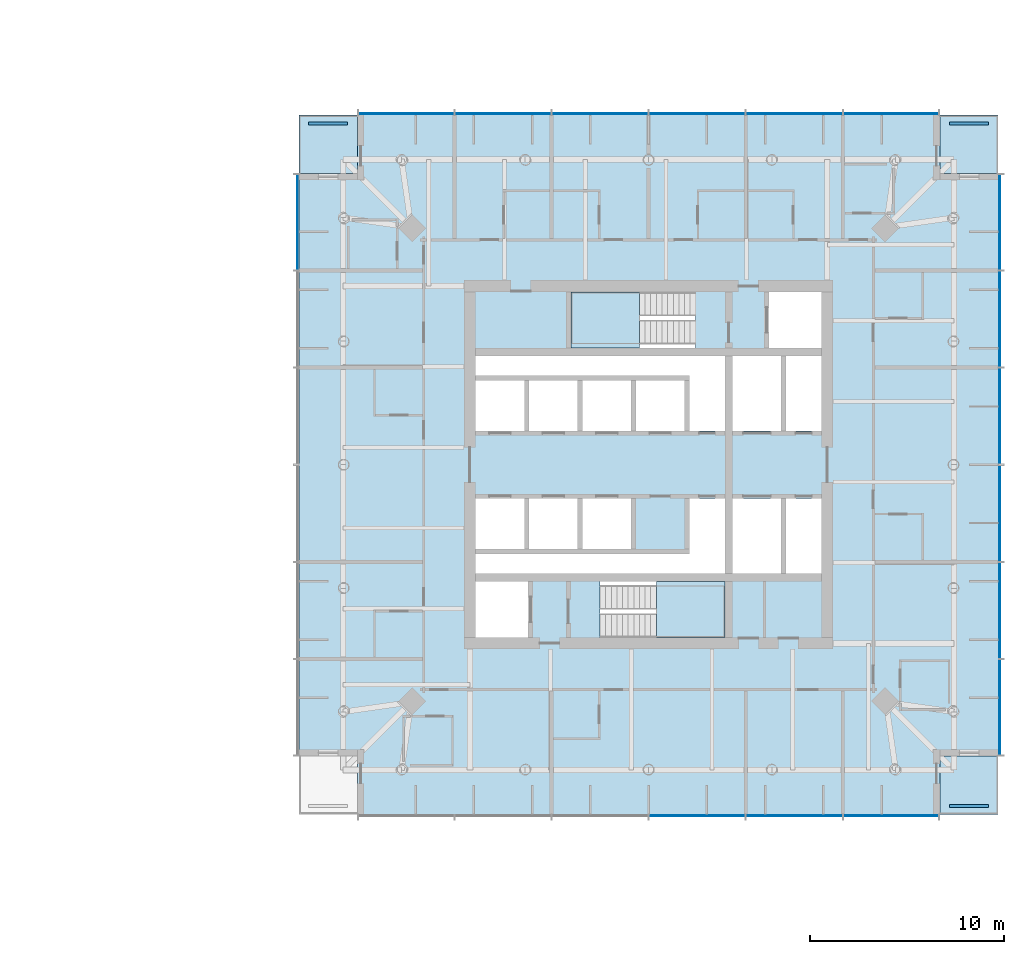
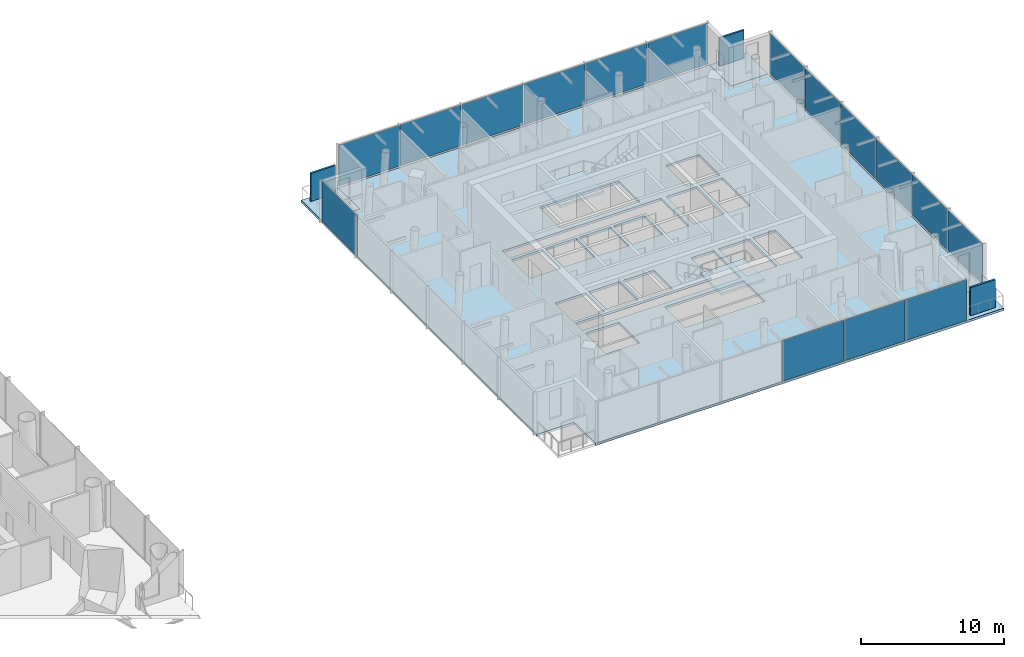
# One storey, part 7 of 18: 19 plates, 6 slabs, 6 elements without a shape of their own.
"""IFC4 building model written with IfcOpenShell, lengths in metres."""

from ifc_helpers import new_model, si_unit, direction, frame, origin, origin_2d, place, context, subcontext, project, spatial, polyline, rectangle, outline, extrude, material, layer, layer_set, type_object, element, aggregate, save


model = new_model("IFC4")

# Units and contexts
model_context = context("Model", 3, precision=1e-05, world=origin(), true_north=direction((0.0, 1.0)))
body_context = subcontext(model_context, "Body", "Model", "MODEL_VIEW")
ifc_project = project(units=[si_unit("LENGTHUNIT", "METRE"), si_unit("AREAUNIT", "SQUARE_METRE"), si_unit("VOLUMEUNIT", "CUBIC_METRE"), si_unit("PLANEANGLEUNIT", "RADIAN"), si_unit("MASSUNIT", "GRAM", prefix="KILO")], contexts=[model_context])

# Site, building, storey
site_placement = place(None, origin())
site = spatial("IfcSite", under=ifc_project, at=site_placement, CompositionType="ELEMENT")
building_placement = place(site_placement, origin())
building = spatial("IfcBuilding", under=site, at=building_placement, Name="Ostroluk Exchange", CompositionType="ELEMENT")
storey_placement = place(building_placement, frame((0.0, 0.0, 97.0)))
storey = spatial("IfcBuildingStorey", under=building, at=storey_placement, Name="L24", CompositionType="ELEMENT", Elevation=97.0)

# Curtain wall, plates
ifc_material_1 = material(Name="Laminated clear glass", Category="glass")
curtain_wall_type = type_object("IfcCurtainWallType", Name="Hotel guest floor facade", PredefinedType="USERDEFINED", material=ifc_material_1)
curtain_wall_1_placement = place(storey_placement, origin())
curtain_wall_1 = element("IfcCurtainWall", 1, at=curtain_wall_1_placement, inside=storey, type_object=curtain_wall_type, Name="Hotel tower south facade L24", ObjectType="UNITISED CURTAIN WALL", PredefinedType="USERDEFINED")
ifc_material_2 = material(Name="Laminated clear glass", Category="glass")
ifc_layer_1 = layer(ifc_material_2, 0.0400390625)
ifc_layer_set_1 = layer_set([ifc_layer_1], Name="Acoustic laminated glazing 40")
plate_type_1 = type_object("IfcPlateType", Name="Acoustic laminated glazing 40", PredefinedType="CURTAIN_PANEL", material=ifc_layer_set_1)
plate_1_placement = place(storey_placement, frame((119.5, 27.925048828125, 0.080078125), z_axis=(0.0, 0.0, 1.0), x_axis=(1.0, 0.0, 0.0)))
plate_1 = element("IfcPlate", 2, at=plate_1_placement, type_object=plate_type_1, Name="CW-H1 panel 4.1", PredefinedType="CURTAIN_PANEL", context=body_context, shape_type="SweptSolid", body=[
    extrude(rectangle(XDim=4.919921875, YDim=0.0400390625, at=origin_2d()), origin(), (0.0, 0.0, 1.0), 3.489990234375),
])
plate_2_placement = place(storey_placement, frame((124.5, 27.925048828125, 0.080078125), z_axis=(0.0, 0.0, 1.0), x_axis=(1.0, 0.0, 0.0)))
plate_2 = element("IfcPlate", 3, at=plate_2_placement, type_object=plate_type_1, Name="CW-H1 panel 5.1", PredefinedType="CURTAIN_PANEL", context=body_context, shape_type="SweptSolid", body=[
    extrude(rectangle(XDim=4.919921875, YDim=0.0400390625, at=origin_2d()), origin(), (0.0, 0.0, 1.0), 3.489990234375),
])
plate_3_placement = place(storey_placement, frame((129.47998046875, 27.925048828125, 0.080078125), z_axis=(0.0, 0.0, 1.0), x_axis=(1.0, 0.0, 0.0)))
plate_3 = element("IfcPlate", 4, at=plate_3_placement, type_object=plate_type_1, Name="CW-H1 panel 6.1", PredefinedType="CURTAIN_PANEL", context=body_context, shape_type="SweptSolid", body=[
    extrude(rectangle(XDim=4.8798828125, YDim=0.0400390625, at=origin_2d()), origin(), (0.0, 0.0, 1.0), 3.489990234375),
])
aggregate(curtain_wall_1, [plate_1, plate_2, plate_3])

curtain_wall_2_placement = place(storey_placement, origin())
curtain_wall_2 = element("IfcCurtainWall", 5, at=curtain_wall_2_placement, inside=storey, type_object=curtain_wall_type, Name="Hotel tower east facade L24", ObjectType="UNITISED CURTAIN WALL", PredefinedType="USERDEFINED")
plate_4_placement = place(storey_placement, frame((135.074951171875, 33.52001953125, 0.080078125), z_axis=(0.0, 0.0, 1.0), x_axis=(0.0, 1.0, 0.0)))
plate_4 = element("IfcPlate", 6, at=plate_4_placement, type_object=plate_type_1, Name="CW-H1 panel 1.1", PredefinedType="CURTAIN_PANEL", context=body_context, shape_type="SweptSolid", body=[
    extrude(rectangle(XDim=4.8798828125, YDim=0.0400390625, at=origin_2d()), origin(), (0.0, 0.0, 1.0), 3.489990234375),
])
plate_5_placement = place(storey_placement, frame((135.074951171875, 38.5, 0.080078125), z_axis=(0.0, 0.0, 1.0), x_axis=(0.0, 1.0, 0.0)))
plate_5 = element("IfcPlate", 7, at=plate_5_placement, type_object=plate_type_1, Name="CW-H1 panel 2.1", PredefinedType="CURTAIN_PANEL", context=body_context, shape_type="SweptSolid", body=[
    extrude(rectangle(XDim=4.919921875, YDim=0.0400390625, at=origin_2d()), origin(), (0.0, 0.0, 1.0), 3.489990234375),
])
plate_6_placement = place(storey_placement, frame((135.074951171875, 43.5, 0.080078125), z_axis=(0.0, 0.0, 1.0), x_axis=(0.0, 1.0, 0.0)))
plate_6 = element("IfcPlate", 8, at=plate_6_placement, type_object=plate_type_1, Name="CW-H1 panel 3.1", PredefinedType="CURTAIN_PANEL", context=body_context, shape_type="SweptSolid", body=[
    extrude(rectangle(XDim=4.919921875, YDim=0.0400390625, at=origin_2d()), origin(), (0.0, 0.0, 1.0), 3.489990234375),
])
plate_7_placement = place(storey_placement, frame((135.074951171875, 48.5, 0.080078125), z_axis=(0.0, 0.0, 1.0), x_axis=(0.0, 1.0, 0.0)))
plate_7 = element("IfcPlate", 9, at=plate_7_placement, type_object=plate_type_1, Name="CW-H1 panel 4.1", PredefinedType="CURTAIN_PANEL", context=body_context, shape_type="SweptSolid", body=[
    extrude(rectangle(XDim=4.919921875, YDim=0.0400390625, at=origin_2d()), origin(), (0.0, 0.0, 1.0), 3.489990234375),
])
plate_8_placement = place(storey_placement, frame((135.074951171875, 53.5, 0.080078125), z_axis=(0.0, 0.0, 1.0), x_axis=(0.0, 1.0, 0.0)))
plate_8 = element("IfcPlate", 10, at=plate_8_placement, type_object=plate_type_1, Name="CW-H1 panel 5.1", PredefinedType="CURTAIN_PANEL", context=body_context, shape_type="SweptSolid", body=[
    extrude(rectangle(XDim=4.919921875, YDim=0.0400390625, at=origin_2d()), origin(), (0.0, 0.0, 1.0), 3.489990234375),
])
plate_9_placement = place(storey_placement, frame((135.074951171875, 58.47998046875, 0.080078125), z_axis=(0.0, 0.0, 1.0), x_axis=(0.0, 1.0, 0.0)))
plate_9 = element("IfcPlate", 11, at=plate_9_placement, type_object=plate_type_1, Name="CW-H1 panel 6.1", PredefinedType="CURTAIN_PANEL", context=body_context, shape_type="SweptSolid", body=[
    extrude(rectangle(XDim=4.8798828125, YDim=0.0400390625, at=origin_2d()), origin(), (0.0, 0.0, 1.0), 3.489990234375),
])
aggregate(curtain_wall_2, [plate_4, plate_5, plate_6, plate_7, plate_8, plate_9])

curtain_wall_3_placement = place(storey_placement, origin())
curtain_wall_3 = element("IfcCurtainWall", 12, at=curtain_wall_3_placement, inside=storey, type_object=curtain_wall_type, Name="Hotel tower north facade L24", ObjectType="UNITISED CURTAIN WALL", PredefinedType="USERDEFINED")
plate_10_placement = place(storey_placement, frame((129.47998046875, 64.074951171875, 0.080078125), z_axis=(0.0, 0.0, 1.0), x_axis=(-1.0, 0.0, 0.0)))
plate_10 = element("IfcPlate", 13, at=plate_10_placement, type_object=plate_type_1, Name="CW-H1 panel 1.1", PredefinedType="CURTAIN_PANEL", context=body_context, shape_type="SweptSolid", body=[
    extrude(rectangle(XDim=4.8798828125, YDim=0.0400390625, at=origin_2d()), origin(), (0.0, 0.0, 1.0), 3.489990234375),
])
plate_11_placement = place(storey_placement, frame((124.5, 64.074951171875, 0.080078125), z_axis=(0.0, 0.0, 1.0), x_axis=(-1.0, 0.0, 0.0)))
plate_11 = element("IfcPlate", 14, at=plate_11_placement, type_object=plate_type_1, Name="CW-H1 panel 2.1", PredefinedType="CURTAIN_PANEL", context=body_context, shape_type="SweptSolid", body=[
    extrude(rectangle(XDim=4.919921875, YDim=0.0400390625, at=origin_2d()), origin(), (0.0, 0.0, 1.0), 3.489990234375),
])
plate_12_placement = place(storey_placement, frame((119.5, 64.074951171875, 0.080078125), z_axis=(0.0, 0.0, 1.0), x_axis=(-1.0, 0.0, 0.0)))
plate_12 = element("IfcPlate", 15, at=plate_12_placement, type_object=plate_type_1, Name="CW-H1 panel 3.1", PredefinedType="CURTAIN_PANEL", context=body_context, shape_type="SweptSolid", body=[
    extrude(rectangle(XDim=4.919921875, YDim=0.0400390625, at=origin_2d()), origin(), (0.0, 0.0, 1.0), 3.489990234375),
])
plate_13_placement = place(storey_placement, frame((114.5, 64.074951171875, 0.080078125), z_axis=(0.0, 0.0, 1.0), x_axis=(-1.0, 0.0, 0.0)))
plate_13 = element("IfcPlate", 16, at=plate_13_placement, type_object=plate_type_1, Name="CW-H1 panel 4.1", PredefinedType="CURTAIN_PANEL", context=body_context, shape_type="SweptSolid", body=[
    extrude(rectangle(XDim=4.919921875, YDim=0.0400390625, at=origin_2d()), origin(), (0.0, 0.0, 1.0), 3.489990234375),
])
plate_14_placement = place(storey_placement, frame((109.5, 64.074951171875, 0.080078125), z_axis=(0.0, 0.0, 1.0), x_axis=(-1.0, 0.0, 0.0)))
plate_14 = element("IfcPlate", 17, at=plate_14_placement, type_object=plate_type_1, Name="CW-H1 panel 5.1", PredefinedType="CURTAIN_PANEL", context=body_context, shape_type="SweptSolid", body=[
    extrude(rectangle(XDim=4.919921875, YDim=0.0400390625, at=origin_2d()), origin(), (0.0, 0.0, 1.0), 3.489990234375),
])
plate_15_placement = place(storey_placement, frame((104.52001953125, 64.074951171875, 0.080078125), z_axis=(0.0, 0.0, 1.0), x_axis=(-1.0, 0.0, 0.0)))
plate_15 = element("IfcPlate", 18, at=plate_15_placement, type_object=plate_type_1, Name="CW-H1 panel 6.1", PredefinedType="CURTAIN_PANEL", context=body_context, shape_type="SweptSolid", body=[
    extrude(rectangle(XDim=4.8798828125, YDim=0.0400390625, at=origin_2d()), origin(), (0.0, 0.0, 1.0), 3.489990234375),
])
aggregate(curtain_wall_3, [plate_10, plate_11, plate_12, plate_13, plate_14, plate_15])

# Curtain wall, plate
curtain_wall_4_placement = place(storey_placement, origin())
curtain_wall_4 = element("IfcCurtainWall", 19, at=curtain_wall_4_placement, inside=storey, type_object=curtain_wall_type, Name="Hotel tower west facade L24", ObjectType="UNITISED CURTAIN WALL", PredefinedType="USERDEFINED")
plate_16_placement = place(storey_placement, frame((98.925048828125, 58.47998046875, 0.080078125), z_axis=(0.0, 0.0, 1.0), x_axis=(0.0, -1.0, 0.0)))
plate_16 = element("IfcPlate", 20, at=plate_16_placement, type_object=plate_type_1, Name="CW-H1 panel 1.1", PredefinedType="CURTAIN_PANEL", context=body_context, shape_type="SweptSolid", body=[
    extrude(rectangle(XDim=4.8798828125, YDim=0.0400390625, at=origin_2d()), origin(), (0.0, 0.0, 1.0), 3.489990234375),
])
aggregate(curtain_wall_4, [plate_16])

# Slabs
ifc_material_3 = material(Name="Concrete C35/45", Category="concrete")
ifc_layer_2 = layer(ifc_material_3, 0.199951171875)
ifc_layer_set_2 = layer_set([ifc_layer_2], Name="Balcony slab 200")
slab_type_1 = type_object("IfcSlabType", Name="Balcony slab 200", PredefinedType="USERDEFINED", material=ifc_layer_set_2)
slab_1_placement = place(storey_placement, frame((0.0, 0.0, -0.199951171875)))
element("IfcSlab", 21, at=slab_1_placement, inside=storey, type_object=slab_type_1, Name="Hotel tower SE corner balcony L24", ObjectType="BALCONY", PredefinedType="USERDEFINED", context=body_context, shape_type="SweptSolid", body=[
    extrude(outline(polyline([(132.0, 28.0), (135.0, 28.0), (135.0, 31.0), (132.0, 31.0), (132.0, 28.0)])), origin(), (0.0, 0.0, 1.0), 0.199951171875),
])
slab_2_placement = place(storey_placement, frame((0.0, 0.0, -0.199951171875)))
element("IfcSlab", 22, at=slab_2_placement, inside=storey, type_object=slab_type_1, Name="Hotel tower NE corner balcony L24", ObjectType="BALCONY", PredefinedType="USERDEFINED", context=body_context, shape_type="SweptSolid", body=[
    extrude(outline(polyline([(132.0, 61.0), (135.0, 61.0), (135.0, 64.0), (132.0, 64.0), (132.0, 61.0)])), origin(), (0.0, 0.0, 1.0), 0.199951171875),
])
slab_3_placement = place(storey_placement, frame((0.0, 0.0, -0.199951171875)))
element("IfcSlab", 23, at=slab_3_placement, inside=storey, type_object=slab_type_1, Name="Hotel tower NW corner balcony L24", ObjectType="BALCONY", PredefinedType="USERDEFINED", context=body_context, shape_type="SweptSolid", body=[
    extrude(outline(polyline([(99.0, 61.0), (102.0, 61.0), (102.0, 64.0), (99.0, 64.0), (99.0, 61.0)])), origin(), (0.0, 0.0, 1.0), 0.199951171875),
])

# Plates
ifc_material_4 = material(Name="Steel S355 trellis with planting", Category="steel")
ifc_layer_3 = layer(ifc_material_4, 0.14990234375)
ifc_layer_set_3 = layer_set([ifc_layer_3], Name="Planted screen 150")
plate_type_2 = type_object("IfcPlateType", Name="Planted screen 150", PredefinedType="USERDEFINED", material=ifc_layer_set_3)
for number, where, z_axis, x_axis, name in (
    (24, (133.5, 28.425048828125, 0.0), (0.0, 0.0, 1.0), (1.0, 0.0, 0.0), "Hotel tower SE planted screen L24"),
    (25, (133.5, 63.574951171875, 0.0), (0.0, 0.0, 1.0), (1.0, 0.0, 0.0), "Hotel tower NE planted screen L24"),
    (26, (100.5, 63.574951171875, 0.0), (0.0, 0.0, 1.0), (1.0, 0.0, 0.0), "Hotel tower NW planted screen L24"),
):
    element("IfcPlate", number, at=place(storey_placement, frame(where, z_axis=z_axis, x_axis=x_axis)), inside=storey, type_object=plate_type_2, Name=name, ObjectType="PLANTED SCREEN", PredefinedType="USERDEFINED", context=body_context, shape_type="SweptSolid", body=[
        extrude(rectangle(XDim=2.0, YDim=0.14990234375, at=origin_2d()), origin(), (0.0, 0.0, 1.0), 2.39990234375),
    ])

# Stair, slab
ifc_material_5 = material(Name="Concrete C30/37", Category="concrete")
stair_type = type_object("IfcStairType", Name="Exit stair half turn 3800", PredefinedType="HALF_TURN_STAIR", material=ifc_material_5)
stair_1_placement = place(storey_placement, origin())
stair_1 = element("IfcStair", 27, at=stair_1_placement, inside=storey, type_object=stair_type, Name="Stair T2-S1 L24", PredefinedType="HALF_TURN_STAIR")
ifc_material_6 = material(Name="Concrete C30/37", Category="concrete")
ifc_layer_4 = layer(ifc_material_6, 0.199951171875)
ifc_layer_set_4 = layer_set([ifc_layer_4], Name="Stair landing 200")
slab_type_2 = type_object("IfcSlabType", Name="Stair landing 200", PredefinedType="LANDING", material=ifc_layer_set_4)
slab_4_placement = place(storey_placement, frame((0.0, 0.0, 1.699951171875)))
slab_4 = element("IfcSlab", 28, at=slab_4_placement, type_object=slab_type_2, Name="T2-S1 landing 1", PredefinedType="LANDING", context=body_context, shape_type="SweptSolid", body=[
    extrude(outline(polyline([(117.39990234375, 37.10009765625), (117.39990234375, 40.0), (120.929931640625, 40.0), (120.929931640625, 37.10009765625), (117.39990234375, 37.10009765625)])), origin(), (0.0, 0.0, 1.0), 0.199951171875),
])
aggregate(stair_1, [slab_4])

stair_2_placement = place(storey_placement, origin())
stair_2 = element("IfcStair", 29, at=stair_2_placement, inside=storey, type_object=stair_type, Name="Stair T2-S2 L24", PredefinedType="HALF_TURN_STAIR")
slab_5_placement = place(storey_placement, frame((0.0, 0.0, 1.699951171875)))
slab_5 = element("IfcSlab", 30, at=slab_5_placement, type_object=slab_type_2, Name="T2-S2 landing 1", PredefinedType="LANDING", context=body_context, shape_type="SweptSolid", body=[
    extrude(outline(polyline([(116.530029296875, 52.0), (116.530029296875, 54.89990234375), (113.0, 54.89990234375), (113.0, 52.0), (116.530029296875, 52.0)])), origin(), (0.0, 0.0, 1.0), 0.199951171875),
])
aggregate(stair_2, [slab_5])

# Slab
ifc_material_7 = material(Name="Concrete C35/45", Category="concrete")
ifc_layer_5 = layer(ifc_material_7, 0.199951171875)
ifc_layer_set_5 = layer_set([ifc_layer_5], Name="Tower floor slab 200 composite")
slab_type_3 = type_object("IfcSlabType", Name="Tower floor slab 200 composite", PredefinedType="FLOOR", material=ifc_layer_set_5)
slab_6_placement = place(storey_placement, frame((0.0, 0.0, -0.199951171875)))
element("IfcSlab", 31, at=slab_6_placement, inside=storey, type_object=slab_type_3, Name="Hotel tower floor slab L24", PredefinedType="FLOOR", context=body_context, shape_type="SweptSolid", body=[
    extrude(outline(polyline([(102.0, 28.0), (132.0, 28.0), (132.0, 31.0), (135.0, 31.0), (135.0, 61.0), (132.0, 61.0), (132.0, 64.0), (102.0, 64.0), (102.0, 61.0), (99.0, 61.0), (99.0, 31.0), (102.0, 31.0), (102.0, 28.0)]), holes=[polyline([(108.10009765625, 37.10009765625), (110.800048828125, 37.10009765625), (110.800048828125, 40.0), (108.10009765625, 40.0), (108.10009765625, 37.10009765625)]), polyline([(114.510009765625, 37.10009765625), (120.929931640625, 37.10009765625), (120.929931640625, 40.0), (114.510009765625, 40.0), (114.510009765625, 37.10009765625)]), polyline([(113.0, 52.0), (119.419921875, 52.0), (119.419921875, 54.89990234375), (113.0, 54.89990234375), (113.0, 52.0)]), polyline([(123.199951171875, 52.0), (125.89990234375, 52.0), (125.89990234375, 54.89990234375), (123.199951171875, 54.89990234375), (123.199951171875, 52.0)]), polyline([(108.10009765625, 47.75), (110.60009765625, 47.75), (110.60009765625, 50.35009765625), (108.10009765625, 50.35009765625), (108.10009765625, 47.75)]), polyline([(110.85009765625, 47.75), (113.35009765625, 47.75), (113.35009765625, 50.35009765625), (110.85009765625, 50.35009765625), (110.85009765625, 47.75)]), polyline([(113.60009765625, 47.75), (116.10009765625, 47.75), (116.10009765625, 50.35009765625), (113.60009765625, 50.35009765625), (113.60009765625, 47.75)]), polyline([(116.35009765625, 47.75), (118.85009765625, 47.75), (118.85009765625, 50.35009765625), (116.35009765625, 50.35009765625), (116.35009765625, 47.75)]), polyline([(108.10009765625, 41.64990234375), (110.60009765625, 41.64990234375), (110.60009765625, 44.25), (108.10009765625, 44.25), (108.10009765625, 41.64990234375)]), polyline([(110.85009765625, 41.64990234375), (113.35009765625, 41.64990234375), (113.35009765625, 44.25), (110.85009765625, 44.25), (110.85009765625, 41.64990234375)]), polyline([(113.60009765625, 41.64990234375), (116.10009765625, 41.64990234375), (116.10009765625, 44.25), (113.60009765625, 44.25), (113.60009765625, 41.64990234375)]), polyline([(121.330078125, 47.75), (123.830078125, 47.75), (123.830078125, 51.60009765625), (121.330078125, 51.60009765625), (121.330078125, 47.75)]), polyline([(121.330078125, 40.39990234375), (123.830078125, 40.39990234375), (123.830078125, 44.25), (121.330078125, 44.25), (121.330078125, 40.39990234375)]), polyline([(120.929931640625, 51.60009765625), (120.929931640625, 47.75), (119.10009765625, 47.75), (119.10009765625, 50.60009765625), (108.10009765625, 50.60009765625), (108.10009765625, 51.60009765625), (120.929931640625, 51.60009765625)]), polyline([(108.10009765625, 40.39990234375), (108.10009765625, 41.39990234375), (119.10009765625, 41.39990234375), (119.10009765625, 44.25), (120.929931640625, 44.25), (120.929931640625, 40.39990234375), (108.10009765625, 40.39990234375)]), polyline([(124.080078125, 47.75), (125.89990234375, 47.75), (125.89990234375, 51.60009765625), (124.080078125, 51.60009765625), (124.080078125, 47.75)]), polyline([(124.080078125, 40.39990234375), (125.89990234375, 40.39990234375), (125.89990234375, 44.25), (124.080078125, 44.25), (124.080078125, 40.39990234375)])]), origin(), (0.0, 0.0, 1.0), 0.199951171875),
])

save(model, "model.ifc")
